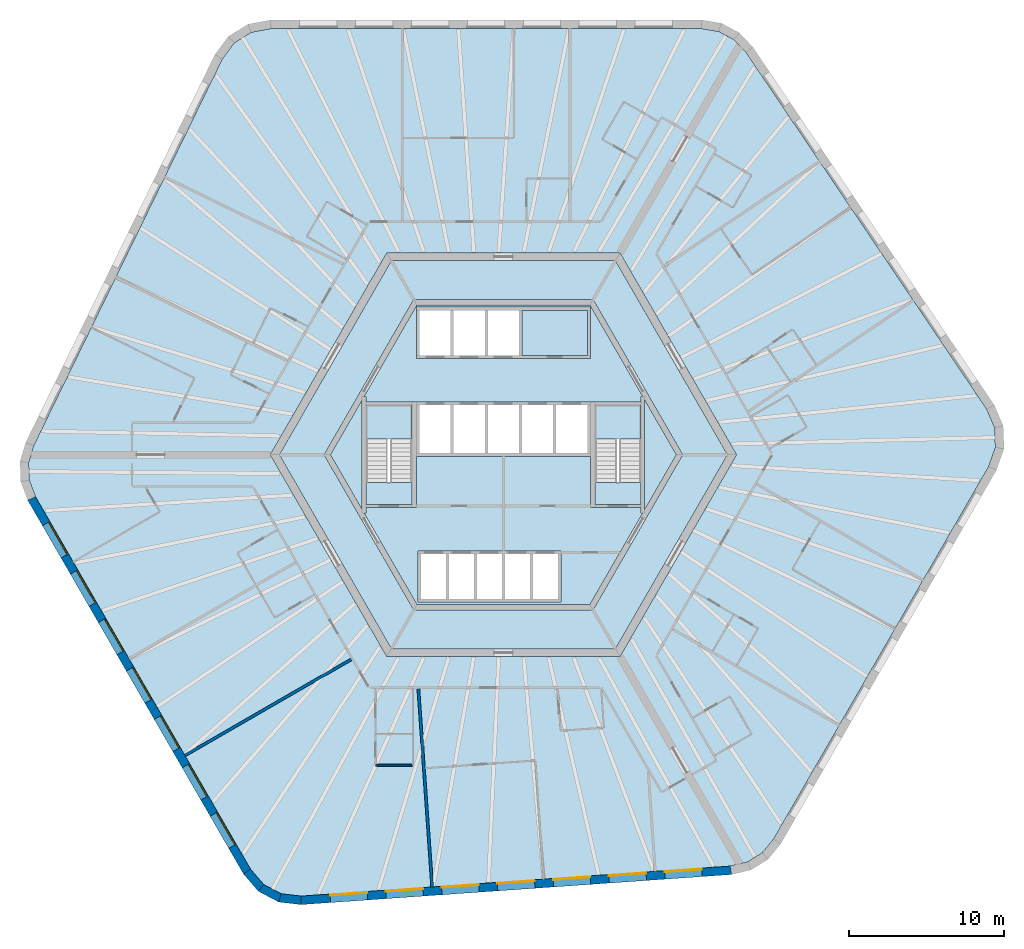
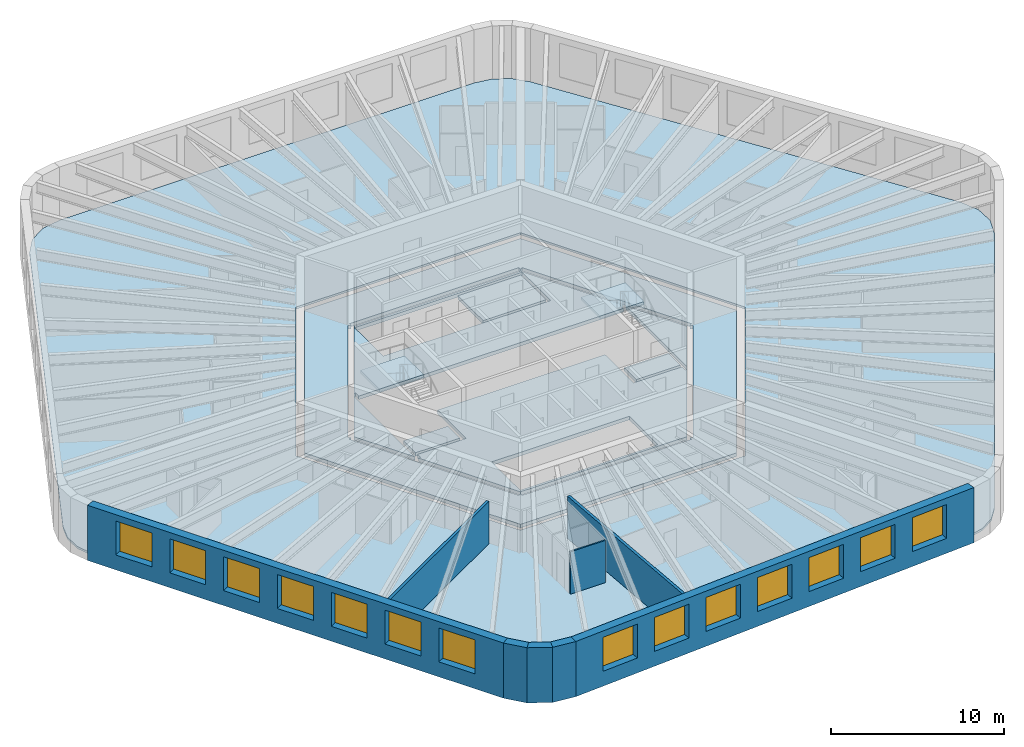
# One storey, part 2 of 10: 14 windows, 11 slabs, 8 walls, 14 openings, 2 elements without a shape of their own.
"""IFC4 building model written with IfcOpenShell, lengths in metres."""

from ifc_helpers import new_model, si_unit, direction, frame, frame_2d, origin, place, context, subcontext, project, spatial, polyline, rectangle, outline, extrude, material, layer, layer_set, type_object, element, fill, aggregate, save


model = new_model("IFC4")

# Units and contexts
model_context = context("Model", 3, precision=1e-05, world=origin(), true_north=direction((0.0, 1.0)))
body_context = subcontext(model_context, "Body", "Model", "MODEL_VIEW")
ifc_project = project(units=[si_unit("LENGTHUNIT", "METRE"), si_unit("AREAUNIT", "SQUARE_METRE"), si_unit("VOLUMEUNIT", "CUBIC_METRE"), si_unit("PLANEANGLEUNIT", "RADIAN"), si_unit("MASSUNIT", "GRAM", prefix="KILO")], contexts=[model_context])

# Site, building, storey
site_placement = place(None, origin())
site = spatial("IfcSite", under=ifc_project, at=site_placement, CompositionType="ELEMENT")
building_placement = place(site_placement, origin())
building = spatial("IfcBuilding", under=site, at=building_placement, Name="Tarnside Tower", CompositionType="ELEMENT")
storey_placement = place(building_placement, frame((0.0, 0.0, 191.699951171875)))
storey = spatial("IfcBuildingStorey", under=building, at=storey_placement, Name="L45", CompositionType="ELEMENT", Elevation=191.699951171875)

# Slabs
ifc_material_1 = material(Name="Concrete C35/45", Category="concrete")
ifc_layer_1 = layer(ifc_material_1, 0.14990234375)
ifc_layer_set_1 = layer_set([ifc_layer_1], Name="Composite floor slab 150")
slab_type_1 = type_object("IfcSlabType", Name="Composite floor slab 150", PredefinedType="FLOOR", material=ifc_layer_set_1)
slab_1_placement = place(storey_placement, frame((0.0, 0.0, -0.14990234375)))
element("IfcSlab", 1, at=slab_1_placement, inside=storey, type_object=slab_type_1, Name="Floor slab L45", PredefinedType="FLOOR", context=body_context, shape_type="SweptSolid", body=[
    extrude(outline(polyline([(13.864013671875, 27.264892578125), (14.85107421875, 26.740234375), (15.6337890625, 25.91064453125), (31.12890625, 2.938232421875), (31.644287109375, 1.7431640625), (31.68896484375, 0.468505859375), (31.258056640625, -0.759521484375), (17.403076171875, -24.7568359375), (16.68017578125, -25.63916015625), (15.732177734375, -26.2314453125), (14.622314453125, -26.494384765625), (-13.02001953125, -28.427490234375), (-14.3125, -28.2763671875), (-15.438720703125, -27.677490234375), (-16.286865234375, -26.6904296875), (-30.1416015625, -2.693115234375), (-30.544189453125, -1.6259765625), (-30.583251953125, -0.5087890625), (-30.256103515625, 0.583984375), (-18.10888671875, 25.4892578125), (-17.331787109375, 26.533203125), (-16.250244140625, 27.208984375), (-14.97119140625, 27.449951171875), (12.738525390625, 27.449951171875), (13.864013671875, 27.264892578125)]), holes=[polyline([(-15.010986328125, 0.0), (-7.505615234375, -13.0), (7.505615234375, -13.0), (15.010986328125, 0.0), (7.505615234375, 13.0), (-7.505615234375, 13.0), (-15.010986328125, 0.0)])]), origin(), (0.0, 0.0, 1.0), 0.14990234375),
])
ifc_material_2 = material(Name="Concrete C40/50", Category="concrete")
ifc_layer_2 = layer(ifc_material_2, 0.25)
ifc_layer_set_2 = layer_set([ifc_layer_2], Name="Core slab C40/50")
slab_type_2 = type_object("IfcSlabType", Name="Core slab C40/50", PredefinedType="FLOOR", material=ifc_layer_set_2)
slab_2_placement = place(storey_placement, frame((0.0, 0.0, -0.25)))
element("IfcSlab", 2, at=slab_2_placement, inside=storey, type_object=slab_type_2, Name="L45 core floor slab 1", PredefinedType="FLOOR", context=body_context, shape_type="SweptSolid", body=[
    extrude(outline(polyline([(-7.216796875, 12.5), (7.216796875, 12.5), (14.433837890625, 0.0), (7.216796875, -12.5), (-7.216796875, -12.5), (-14.433837890625, 0.0), (-7.216796875, 12.5)]), holes=[polyline([(5.823974609375, -9.91259765625), (11.49658203125, -0.08740234375), (11.344970703125, 0.0), (11.49658203125, 0.08740234375), (5.823974609375, 9.91259765625), (5.672607421875, 9.824951171875), (5.672607421875, 10.0), (-5.672607421875, 10.0), (-5.672607421875, 9.824951171875), (-5.823974609375, 9.91259765625), (-11.49658203125, 0.08740234375), (-11.344970703125, 0.0), (-11.49658203125, -0.08740234375), (-5.823974609375, -9.91259765625), (-5.672607421875, -9.824951171875), (-5.672607421875, -10.0), (5.672607421875, -10.0), (5.672607421875, -9.824951171875), (5.823974609375, -9.91259765625)])]), origin(), (0.0, 0.0, 1.0), 0.25),
])
slab_3_placement = place(storey_placement, frame((0.0, 0.0, -0.25)))
element("IfcSlab", 3, at=slab_3_placement, inside=storey, type_object=slab_type_2, Name="L45 core floor slab 2", PredefinedType="FLOOR", context=body_context, shape_type="SweptSolid", body=[
    extrude(outline(polyline([(-8.97509765625, 3.7548828125), (-5.5712890625, 9.64990234375), (5.5712890625, 9.64990234375), (8.97509765625, 3.7548828125), (8.85009765625, 3.7548828125), (8.85009765625, 3.39990234375), (5.89990234375, 3.39990234375), (5.60009765625, 3.39990234375), (5.60009765625, 3.39990234375), (-5.60009765625, 3.39990234375), (-5.89990234375, 3.39990234375), (-8.85009765625, 3.39990234375), (-8.85009765625, 3.7548828125), (-8.97509765625, 3.7548828125)]), holes=[polyline([(-5.60009765625, 6.199951171875), (5.60009765625, 6.199951171875), (5.60009765625, 6.39990234375), (5.60009765625, 9.300048828125), (5.60009765625, 9.5), (-5.60009765625, 9.5), (-5.60009765625, 9.300048828125), (-5.60009765625, 6.39990234375), (-5.60009765625, 6.199951171875)])]), origin(), (0.0, 0.0, 1.0), 0.25),
])
slab_4_placement = place(storey_placement, frame((0.0, 0.0, -0.25)))
element("IfcSlab", 4, at=slab_4_placement, inside=storey, type_object=slab_type_2, Name="L45 core floor slab 3", PredefinedType="FLOOR", context=body_context, shape_type="SweptSolid", body=[
    extrude(outline(polyline([(5.60009765625, -3.39990234375), (5.89990234375, -3.39990234375), (8.85009765625, -3.39990234375), (8.85009765625, -3.7548828125), (8.97509765625, -3.7548828125), (5.5712890625, -9.64990234375), (-5.5712890625, -9.64990234375), (-8.97509765625, -3.7548828125), (-8.85009765625, -3.7548828125), (-8.85009765625, -3.39990234375), (-5.89990234375, -3.39990234375), (-5.60009765625, -3.39990234375), (-5.60009765625, -0.10009765625), (5.60009765625, -0.10009765625), (5.60009765625, -3.39990234375)]), holes=[polyline([(-5.5, -9.300048828125), (-5.5, -9.5), (3.699951171875, -9.5), (3.699951171875, -9.300048828125), (3.699951171875, -6.39990234375), (3.699951171875, -6.199951171875), (-5.5, -6.199951171875), (-5.5, -6.39990234375), (-5.5, -9.300048828125)])]), origin(), (0.0, 0.0, 1.0), 0.25),
])
slab_5_placement = place(storey_placement, frame((0.0, 0.0, -0.25)))
element("IfcSlab", 5, at=slab_5_placement, inside=storey, type_object=slab_type_2, Name="L45 core floor slab 4", PredefinedType="FLOOR", context=body_context, shape_type="SweptSolid", body=[
    extrude(outline(polyline([(-11.142822265625, 0.0), (-9.10009765625, 3.538330078125), (-9.10009765625, -3.538330078125), (-11.142822265625, 0.0)])), origin(), (0.0, 0.0, 1.0), 0.25),
])
slab_6_placement = place(storey_placement, frame((0.0, 0.0, -0.25)))
element("IfcSlab", 6, at=slab_6_placement, inside=storey, type_object=slab_type_2, Name="L45 core floor slab 5", PredefinedType="FLOOR", context=body_context, shape_type="SweptSolid", body=[
    extrude(outline(polyline([(-8.85009765625, -1.800048828125), (-5.89990234375, -1.800048828125), (-5.89990234375, -3.199951171875), (-8.85009765625, -3.199951171875), (-8.85009765625, -1.800048828125)])), origin(), (0.0, 0.0, 1.0), 0.25),
])
slab_7_placement = place(storey_placement, frame((0.0, 0.0, -0.25)))
element("IfcSlab", 7, at=slab_7_placement, inside=storey, type_object=slab_type_2, Name="L45 core floor slab 6", PredefinedType="FLOOR", context=body_context, shape_type="SweptSolid", body=[
    extrude(outline(polyline([(5.89990234375, -3.199951171875), (5.89990234375, -1.800048828125), (8.85009765625, -1.800048828125), (8.85009765625, -3.199951171875), (5.89990234375, -3.199951171875)])), origin(), (0.0, 0.0, 1.0), 0.25),
])
slab_8_placement = place(storey_placement, frame((0.0, 0.0, -0.25)))
element("IfcSlab", 8, at=slab_8_placement, inside=storey, type_object=slab_type_2, Name="L45 core floor slab 7", PredefinedType="FLOOR", context=body_context, shape_type="SweptSolid", body=[
    extrude(outline(polyline([(9.10009765625, -3.538330078125), (9.10009765625, 3.538330078125), (11.142822265625, 0.0), (9.10009765625, -3.538330078125)])), origin(), (0.0, 0.0, 1.0), 0.25),
])
slab_9_placement = place(storey_placement, frame((0.0, 0.0, -0.25)))
element("IfcSlab", 9, at=slab_9_placement, inside=storey, type_object=slab_type_2, Name="L45 core floor slab 8", PredefinedType="FLOOR", context=body_context, shape_type="SweptSolid", body=[
    extrude(outline(polyline([(5.39990234375, 9.300048828125), (5.39990234375, 6.39990234375), (1.199951171875, 6.39990234375), (1.199951171875, 9.300048828125), (5.39990234375, 9.300048828125)])), origin(), (0.0, 0.0, 1.0), 0.25),
])

# Stair, slab
stair_type = type_object("IfcStairType", Name="Exit stair 1400 clear", PredefinedType="HALF_TURN_STAIR", material=ifc_material_2)
stair_1_placement = place(storey_placement, origin())
stair_1 = element("IfcStair", 10, at=stair_1_placement, inside=storey, type_object=stair_type, Name="L45 Exit stair 1", PredefinedType="HALF_TURN_STAIR")
ifc_layer_3 = layer(ifc_material_2, 0.199951171875)
ifc_layer_set_3 = layer_set([ifc_layer_3], Name="Stair landing 200 C40/50")
slab_type_3 = type_object("IfcSlabType", Name="Stair landing 200 C40/50", PredefinedType="LANDING", material=ifc_layer_set_3)
slab_10_placement = place(storey_placement, frame((0.0, 0.0, 1.75)))
slab_10 = element("IfcSlab", 11, at=slab_10_placement, type_object=slab_type_3, Name="ST1 landing 1", PredefinedType="LANDING", context=body_context, shape_type="SweptSolid", body=[
    extrude(outline(polyline([(8.85009765625, 1.0), (8.85009765625, 3.199951171875), (5.89990234375, 3.199951171875), (5.89990234375, 1.0), (8.85009765625, 1.0)])), origin(), (0.0, 0.0, 1.0), 0.199951171875),
])
aggregate(stair_1, [slab_10])

stair_2_placement = place(storey_placement, origin())
stair_2 = element("IfcStair", 12, at=stair_2_placement, inside=storey, type_object=stair_type, Name="L45 Exit stair 2", PredefinedType="HALF_TURN_STAIR")
slab_11_placement = place(storey_placement, frame((0.0, 0.0, 1.75)))
slab_11 = element("IfcSlab", 13, at=slab_11_placement, type_object=slab_type_3, Name="ST2 landing 1", PredefinedType="LANDING", context=body_context, shape_type="SweptSolid", body=[
    extrude(outline(polyline([(-5.89990234375, 1.0), (-5.89990234375, 3.199951171875), (-8.85009765625, 3.199951171875), (-8.85009765625, 1.0), (-5.89990234375, 1.0)])), origin(), (0.0, 0.0, 1.0), 0.199951171875),
])
aggregate(stair_2, [slab_11])

# Walls
ifc_material_3 = material(Name="Gypsum board partition on steel studs", Category="steel")
ifc_layer_4 = layer(ifc_material_3, 0.179931640625)
ifc_layer_set_4 = layer_set([ifc_layer_4], Name="Demising wall 180 EI 60")
wall_type_1 = type_object("IfcWallType", Name="Demising wall 180 EI 60", PredefinedType="PARTITIONING", material=ifc_layer_set_4)
wall_1_placement = place(storey_placement, frame((-20.513427734375, -19.36962890625, 0.0), z_axis=(0.0, 0.0, 1.0), x_axis=(0.866024931941, 0.500000817256, 0.0)))
element("IfcWall", 14, at=wall_1_placement, inside=storey, type_object=wall_type_1, Name="Demising wall 14085", PredefinedType="PARTITIONING", context=body_context, shape_type="SweptSolid", body=[
    extrude(rectangle(XDim=12.375, YDim=0.179931640625, at=frame_2d((6.1875, 0.0))), origin(), (0.0, 0.0, 1.0), 2.98779296875),
])
wall_2_placement = place(storey_placement, frame((-4.587158203125, -27.837890625, 0.0), z_axis=(0.0, 0.0, 1.0), x_axis=(-0.069764754112, 0.997563471206, 0.0)))
element("IfcWall", 15, at=wall_2_placement, inside=storey, type_object=wall_type_1, Name="Demising wall 14091", PredefinedType="PARTITIONING", context=body_context, shape_type="SweptSolid", body=[
    extrude(rectangle(XDim=12.794189453125, YDim=0.179931640625, at=frame_2d((6.39697265625, 0.0))), origin(), (0.0, 0.0, 1.0), 2.98779296875),
])
ifc_layer_5 = layer(ifc_material_3, 0.10009765625)
ifc_layer_set_5 = layer_set([ifc_layer_5], Name="Partition 100")
wall_type_2 = type_object("IfcWallType", Name="Partition 100", PredefinedType="PARTITIONING", material=ifc_layer_set_5)
wall_3_placement = place(storey_placement, frame((-5.885009765625, -20.0, 0.0), z_axis=(0.0, 0.0, 1.0), x_axis=(-1.0, 0.0, 0.0)))
element("IfcWall", 16, at=wall_3_placement, inside=storey, type_object=wall_type_2, Name="Partition wall 14089", PredefinedType="PARTITIONING", context=body_context, shape_type="SweptSolid", body=[
    extrude(rectangle(XDim=2.349853515625, YDim=0.10009765625, at=frame_2d((1.1748046875, 0.0))), origin(), (0.0, 0.0, 1.0), 2.98779296875),
])

# Wall, openings, windows
ifc_material_4 = material(Name="Facing brick", Category="masonry")
ifc_layer_6 = layer(ifc_material_4, 0.10205078125)
ifc_material_5 = material(Name="Concrete C60/75 precast", Category="concrete")
ifc_layer_7 = layer(ifc_material_5, 0.347900390625)
ifc_material_6 = material(Name="Mineral wool insulation")
ifc_layer_8 = layer(ifc_material_6, 0.10009765625)
ifc_layer_set_6 = layer_set([ifc_layer_6, ifc_layer_7, ifc_layer_8], Name="Tube wall 550 brick faced")
wall_type_3 = type_object("IfcWallType", Name="Tube wall 550 brick faced", PredefinedType="SOLIDWALL", material=ifc_layer_set_6)
wall_4_placement = place(storey_placement, frame((-30.39111328125, -2.81103515625, -0.14990234375), z_axis=(0.0, 0.0, 1.0), x_axis=(0.499998569178, -0.866026229868, 0.0)))
wall_4 = element("IfcWall", 17, at=wall_4_placement, inside=storey, type_object=wall_type_3, Name="Tube wall L45 F3 flush 08", PredefinedType="SOLIDWALL", context=body_context, shape_type="SweptSolid", body=[
    extrude(outline(polyline([(-0.0224609375, -0.27490234375), (27.783447265625, -0.27490234375), (27.732177734375, 0.27490234375), (0.0224609375, 0.27490234375), (-0.0224609375, -0.27490234375)])), origin(), (0.0, 0.0, 1.0), 3.89990234375),
])
opening_1_placement = place(wall_4_placement, frame((1.87890625, 0.0, 1.050048828125)))
opening_1 = element("IfcOpeningElement", 18, at=opening_1_placement, cuts=wall_4, Name="Opening WH", PredefinedType="OPENING", context=body_context, shape_type="SweptSolid", body=[
    extrude(rectangle(XDim=2.39990234375, YDim=2.39990234375, at=frame_2d((1.199951171875, 1.199951171875))), frame((0.0, 0.28515625, 0.0), z_axis=(0.0, -1.0, 0.0), x_axis=(1.0, 0.0, 0.0)), (0.0, 0.0, 1.0), 0.570068359375),
])
opening_2_placement = place(wall_4_placement, frame((5.47900390625, 0.0, 1.050048828125)))
opening_2 = element("IfcOpeningElement", 19, at=opening_2_placement, cuts=wall_4, Name="Opening WH", PredefinedType="OPENING", context=body_context, shape_type="SweptSolid", body=[
    extrude(rectangle(XDim=2.39990234375, YDim=2.39990234375, at=frame_2d((1.199951171875, 1.199951171875))), frame((0.0, 0.28515625, 0.0), z_axis=(0.0, -1.0, 0.0), x_axis=(1.0, 0.0, 0.0)), (0.0, 0.0, 1.0), 0.570068359375),
])
opening_3_placement = place(wall_4_placement, frame((9.078857421875, 0.0, 1.050048828125)))
opening_3 = element("IfcOpeningElement", 20, at=opening_3_placement, cuts=wall_4, Name="Opening WH", PredefinedType="OPENING", context=body_context, shape_type="SweptSolid", body=[
    extrude(rectangle(XDim=2.39990234375, YDim=2.39990234375, at=frame_2d((1.199951171875, 1.199951171875))), frame((0.0, 0.28515625, 0.0), z_axis=(0.0, -1.0, 0.0), x_axis=(1.0, 0.0, 0.0)), (0.0, 0.0, 1.0), 0.570068359375),
])
opening_4_placement = place(wall_4_placement, frame((12.678955078125, 0.0, 1.050048828125)))
opening_4 = element("IfcOpeningElement", 21, at=opening_4_placement, cuts=wall_4, Name="Opening WH", PredefinedType="OPENING", context=body_context, shape_type="SweptSolid", body=[
    extrude(rectangle(XDim=2.39990234375, YDim=2.39990234375, at=frame_2d((1.199951171875, 1.199951171875))), frame((0.0, 0.28515625, 0.0), z_axis=(0.0, -1.0, 0.0), x_axis=(1.0, 0.0, 0.0)), (0.0, 0.0, 1.0), 0.570068359375),
])
opening_5_placement = place(wall_4_placement, frame((16.27880859375, 0.0, 1.050048828125)))
opening_5 = element("IfcOpeningElement", 22, at=opening_5_placement, cuts=wall_4, Name="Opening WH", PredefinedType="OPENING", context=body_context, shape_type="SweptSolid", body=[
    extrude(rectangle(XDim=2.39990234375, YDim=2.39990234375, at=frame_2d((1.199951171875, 1.199951171875))), frame((0.0, 0.28515625, 0.0), z_axis=(0.0, -1.0, 0.0), x_axis=(1.0, 0.0, 0.0)), (0.0, 0.0, 1.0), 0.570068359375),
])
opening_6_placement = place(wall_4_placement, frame((19.87890625, 0.0, 1.050048828125)))
opening_6 = element("IfcOpeningElement", 23, at=opening_6_placement, cuts=wall_4, Name="Opening WH", PredefinedType="OPENING", context=body_context, shape_type="SweptSolid", body=[
    extrude(rectangle(XDim=2.39990234375, YDim=2.39990234375, at=frame_2d((1.199951171875, 1.199951171875))), frame((0.0, 0.28515625, 0.0), z_axis=(0.0, -1.0, 0.0), x_axis=(1.0, 0.0, 0.0)), (0.0, 0.0, 1.0), 0.570068359375),
])
opening_7_placement = place(wall_4_placement, frame((23.47900390625, 0.0, 1.050048828125)))
opening_7 = element("IfcOpeningElement", 24, at=opening_7_placement, cuts=wall_4, Name="Opening WH", PredefinedType="OPENING", context=body_context, shape_type="SweptSolid", body=[
    extrude(rectangle(XDim=2.39990234375, YDim=2.39990234375, at=frame_2d((1.199951171875, 1.199951171875))), frame((0.0, 0.28515625, 0.0), z_axis=(0.0, -1.0, 0.0), x_axis=(1.0, 0.0, 0.0)), (0.0, 0.0, 1.0), 0.570068359375),
])
ifc_material_7 = material(Name="Aluminium-framed double glazing", Category="aluminium")
window_type = type_object("IfcWindowType", Name="Hotel window 2400 x 2400", PartitioningType="DOUBLE_PANEL_VERTICAL", PredefinedType="WINDOW", material=ifc_material_7)
window_1_placement = place(opening_1_placement, frame((0.0, 0.205078125, 0.0)))
window_1 = element("IfcWindow", 25, at=window_1_placement, inside=storey, type_object=window_type, Name="E.WN.L45.F3.00", OverallHeight=2.39990234375, OverallWidth=2.39990234375, PartitioningType="DOUBLE_PANEL_VERTICAL", PredefinedType="WINDOW", context=body_context, shape_type="SweptSolid", body=[
    extrude(rectangle(XDim=2.39990234375, YDim=2.39990234375, at=frame_2d((1.199951171875, 1.199951171875))), frame((0.0, 0.030029296875, 0.0), z_axis=(0.0, -1.0, 0.0), x_axis=(1.0, 0.0, 0.0)), (0.0, 0.0, 1.0), 0.06005859375),
])
fill(opening_1, window_1)
window_2_placement = place(opening_2_placement, frame((0.0, 0.205078125, 0.0)))
window_2 = element("IfcWindow", 26, at=window_2_placement, inside=storey, type_object=window_type, Name="E.WN.L45.F3.01", OverallHeight=2.39990234375, OverallWidth=2.39990234375, PartitioningType="DOUBLE_PANEL_VERTICAL", PredefinedType="WINDOW", context=body_context, shape_type="SweptSolid", body=[
    extrude(rectangle(XDim=2.39990234375, YDim=2.39990234375, at=frame_2d((1.199951171875, 1.199951171875))), frame((0.0, 0.030029296875, 0.0), z_axis=(0.0, -1.0, 0.0), x_axis=(1.0, 0.0, 0.0)), (0.0, 0.0, 1.0), 0.06005859375),
])
fill(opening_2, window_2)
window_3_placement = place(opening_3_placement, frame((0.0, 0.205078125, 0.0)))
window_3 = element("IfcWindow", 27, at=window_3_placement, inside=storey, type_object=window_type, Name="E.WN.L45.F3.02", OverallHeight=2.39990234375, OverallWidth=2.39990234375, PartitioningType="DOUBLE_PANEL_VERTICAL", PredefinedType="WINDOW", context=body_context, shape_type="SweptSolid", body=[
    extrude(rectangle(XDim=2.39990234375, YDim=2.39990234375, at=frame_2d((1.199951171875, 1.199951171875))), frame((0.0, 0.030029296875, 0.0), z_axis=(0.0, -1.0, 0.0), x_axis=(1.0, 0.0, 0.0)), (0.0, 0.0, 1.0), 0.06005859375),
])
fill(opening_3, window_3)
window_4_placement = place(opening_4_placement, frame((0.0, 0.205078125, 0.0)))
window_4 = element("IfcWindow", 28, at=window_4_placement, inside=storey, type_object=window_type, Name="E.WN.L45.F3.03", OverallHeight=2.39990234375, OverallWidth=2.39990234375, PartitioningType="DOUBLE_PANEL_VERTICAL", PredefinedType="WINDOW", context=body_context, shape_type="SweptSolid", body=[
    extrude(rectangle(XDim=2.39990234375, YDim=2.39990234375, at=frame_2d((1.199951171875, 1.199951171875))), frame((0.0, 0.030029296875, 0.0), z_axis=(0.0, -1.0, 0.0), x_axis=(1.0, 0.0, 0.0)), (0.0, 0.0, 1.0), 0.06005859375),
])
fill(opening_4, window_4)
window_5_placement = place(opening_5_placement, frame((0.0, 0.205078125, 0.0)))
window_5 = element("IfcWindow", 29, at=window_5_placement, inside=storey, type_object=window_type, Name="E.WN.L45.F3.04", OverallHeight=2.39990234375, OverallWidth=2.39990234375, PartitioningType="DOUBLE_PANEL_VERTICAL", PredefinedType="WINDOW", context=body_context, shape_type="SweptSolid", body=[
    extrude(rectangle(XDim=2.39990234375, YDim=2.39990234375, at=frame_2d((1.199951171875, 1.199951171875))), frame((0.0, 0.030029296875, 0.0), z_axis=(0.0, -1.0, 0.0), x_axis=(1.0, 0.0, 0.0)), (0.0, 0.0, 1.0), 0.06005859375),
])
fill(opening_5, window_5)
window_6_placement = place(opening_6_placement, frame((0.0, 0.205078125, 0.0)))
window_6 = element("IfcWindow", 30, at=window_6_placement, inside=storey, type_object=window_type, Name="E.WN.L45.F3.05", OverallHeight=2.39990234375, OverallWidth=2.39990234375, PartitioningType="DOUBLE_PANEL_VERTICAL", PredefinedType="WINDOW", context=body_context, shape_type="SweptSolid", body=[
    extrude(rectangle(XDim=2.39990234375, YDim=2.39990234375, at=frame_2d((1.199951171875, 1.199951171875))), frame((0.0, 0.030029296875, 0.0), z_axis=(0.0, -1.0, 0.0), x_axis=(1.0, 0.0, 0.0)), (0.0, 0.0, 1.0), 0.06005859375),
])
fill(opening_6, window_6)
window_7_placement = place(opening_7_placement, frame((0.0, 0.205078125, 0.0)))
window_7 = element("IfcWindow", 31, at=window_7_placement, inside=storey, type_object=window_type, Name="E.WN.L45.F3.06", OverallHeight=2.39990234375, OverallWidth=2.39990234375, PartitioningType="DOUBLE_PANEL_VERTICAL", PredefinedType="WINDOW", context=body_context, shape_type="SweptSolid", body=[
    extrude(rectangle(XDim=2.39990234375, YDim=2.39990234375, at=frame_2d((1.199951171875, 1.199951171875))), frame((0.0, 0.030029296875, 0.0), z_axis=(0.0, -1.0, 0.0), x_axis=(1.0, 0.0, 0.0)), (0.0, 0.0, 1.0), 0.06005859375),
])
fill(opening_7, window_7)

# Walls
wall_5_placement = place(storey_placement, frame((-16.51220703125, -26.85009765625, -0.14990234375), z_axis=(0.0, 0.0, 1.0), x_axis=(0.651621950847, -0.758543890078, 0.0)))
element("IfcWall", 32, at=wall_5_placement, inside=storey, type_object=wall_type_3, Name="Tube wall L45 F3 chord 09", PredefinedType="SOLIDWALL", context=body_context, shape_type="SweptSolid", body=[
    extrude(outline(polyline([(-0.025634765625, -0.27490234375), (1.430908203125, -0.27490234375), (1.327392578125, 0.27490234375), (0.025634765625, 0.27490234375), (-0.025634765625, -0.27490234375)])), origin(), (0.0, 0.0, 1.0), 3.89990234375),
])
wall_6_placement = place(storey_placement, frame((-15.613525390625, -27.896240234375, -0.14990234375), z_axis=(0.0, 0.0, 1.0), x_axis=(0.882994189209, -0.469383917304, 0.0)))
element("IfcWall", 33, at=wall_6_placement, inside=storey, type_object=wall_type_3, Name="Tube wall L45 F3 chord 10", PredefinedType="SOLIDWALL", context=body_context, shape_type="SweptSolid", body=[
    extrude(outline(polyline([(-0.0517578125, -0.27490234375), (1.4306640625, -0.27490234375), (1.3271484375, 0.27490234375), (0.0517578125, 0.27490234375), (-0.0517578125, -0.27490234375)])), origin(), (0.0, 0.0, 1.0), 3.89990234375),
])
wall_7_placement = place(storey_placement, frame((-14.39599609375, -28.54345703125, -0.14990234375), z_axis=(0.0, 0.0, 1.0), x_axis=(0.993232537394, -0.11614269956, 0.0)))
element("IfcWall", 34, at=wall_7_placement, inside=storey, type_object=wall_type_3, Name="Tube wall L45 F3 chord 11", PredefinedType="SOLIDWALL", context=body_context, shape_type="SweptSolid", body=[
    extrude(outline(polyline([(-0.0517578125, -0.27490234375), (1.404541015625, -0.27490234375), (1.353271484375, 0.27490234375), (0.0517578125, 0.27490234375), (-0.0517578125, -0.27490234375)])), origin(), (0.0, 0.0, 1.0), 3.89990234375),
])

# Wall, openings, windows
wall_8_placement = place(storey_placement, frame((-13.0263671875, -28.70361328125, -0.14990234375), z_axis=(0.0, 0.0, 1.0), x_axis=(0.99756406806, 0.069756219185, 0.0)))
wall_8 = element("IfcWall", 35, at=wall_8_placement, inside=storey, type_object=wall_type_3, Name="Tube wall L45 F4 flush 12", PredefinedType="SOLIDWALL", context=body_context, shape_type="SweptSolid", body=[
    extrude(outline(polyline([(-0.025634765625, -0.27490234375), (27.7802734375, -0.27490234375), (27.7353515625, 0.27490234375), (0.025634765625, 0.27490234375), (-0.025634765625, -0.27490234375)])), origin(), (0.0, 0.0, 1.0), 3.89990234375),
])
opening_8_placement = place(wall_8_placement, frame((1.87890625, 0.0, 1.050048828125)))
opening_8 = element("IfcOpeningElement", 36, at=opening_8_placement, cuts=wall_8, Name="Opening WH", PredefinedType="OPENING", context=body_context, shape_type="SweptSolid", body=[
    extrude(rectangle(XDim=2.39990234375, YDim=2.39990234375, at=frame_2d((1.199951171875, 1.199951171875))), frame((0.0, 0.28515625, 0.0), z_axis=(0.0, -1.0, 0.0), x_axis=(1.0, 0.0, 0.0)), (0.0, 0.0, 1.0), 0.570068359375),
])
opening_9_placement = place(wall_8_placement, frame((5.47900390625, 0.0, 1.050048828125)))
opening_9 = element("IfcOpeningElement", 37, at=opening_9_placement, cuts=wall_8, Name="Opening WH", PredefinedType="OPENING", context=body_context, shape_type="SweptSolid", body=[
    extrude(rectangle(XDim=2.39990234375, YDim=2.39990234375, at=frame_2d((1.199951171875, 1.199951171875))), frame((0.0, 0.28515625, 0.0), z_axis=(0.0, -1.0, 0.0), x_axis=(1.0, 0.0, 0.0)), (0.0, 0.0, 1.0), 0.570068359375),
])
opening_10_placement = place(wall_8_placement, frame((9.078857421875, 0.0, 1.050048828125)))
opening_10 = element("IfcOpeningElement", 38, at=opening_10_placement, cuts=wall_8, Name="Opening WH", PredefinedType="OPENING", context=body_context, shape_type="SweptSolid", body=[
    extrude(rectangle(XDim=2.39990234375, YDim=2.39990234375, at=frame_2d((1.199951171875, 1.199951171875))), frame((0.0, 0.28515625, 0.0), z_axis=(0.0, -1.0, 0.0), x_axis=(1.0, 0.0, 0.0)), (0.0, 0.0, 1.0), 0.570068359375),
])
opening_11_placement = place(wall_8_placement, frame((12.678955078125, 0.0, 1.050048828125)))
opening_11 = element("IfcOpeningElement", 39, at=opening_11_placement, cuts=wall_8, Name="Opening WH", PredefinedType="OPENING", context=body_context, shape_type="SweptSolid", body=[
    extrude(rectangle(XDim=2.39990234375, YDim=2.39990234375, at=frame_2d((1.199951171875, 1.199951171875))), frame((0.0, 0.28515625, 0.0), z_axis=(0.0, -1.0, 0.0), x_axis=(1.0, 0.0, 0.0)), (0.0, 0.0, 1.0), 0.570068359375),
])
opening_12_placement = place(wall_8_placement, frame((16.27880859375, 0.0, 1.050048828125)))
opening_12 = element("IfcOpeningElement", 40, at=opening_12_placement, cuts=wall_8, Name="Opening WH", PredefinedType="OPENING", context=body_context, shape_type="SweptSolid", body=[
    extrude(rectangle(XDim=2.39990234375, YDim=2.39990234375, at=frame_2d((1.199951171875, 1.199951171875))), frame((0.0, 0.28515625, 0.0), z_axis=(0.0, -1.0, 0.0), x_axis=(1.0, 0.0, 0.0)), (0.0, 0.0, 1.0), 0.570068359375),
])
opening_13_placement = place(wall_8_placement, frame((19.87890625, 0.0, 1.050048828125)))
opening_13 = element("IfcOpeningElement", 41, at=opening_13_placement, cuts=wall_8, Name="Opening WH", PredefinedType="OPENING", context=body_context, shape_type="SweptSolid", body=[
    extrude(rectangle(XDim=2.39990234375, YDim=2.39990234375, at=frame_2d((1.199951171875, 1.199951171875))), frame((0.0, 0.28515625, 0.0), z_axis=(0.0, -1.0, 0.0), x_axis=(1.0, 0.0, 0.0)), (0.0, 0.0, 1.0), 0.570068359375),
])
opening_14_placement = place(wall_8_placement, frame((23.47900390625, 0.0, 1.050048828125)))
opening_14 = element("IfcOpeningElement", 42, at=opening_14_placement, cuts=wall_8, Name="Opening WH", PredefinedType="OPENING", context=body_context, shape_type="SweptSolid", body=[
    extrude(rectangle(XDim=2.39990234375, YDim=2.39990234375, at=frame_2d((1.199951171875, 1.199951171875))), frame((0.0, 0.28515625, 0.0), z_axis=(0.0, -1.0, 0.0), x_axis=(1.0, 0.0, 0.0)), (0.0, 0.0, 1.0), 0.570068359375),
])
window_8_placement = place(opening_8_placement, frame((0.0, 0.205078125, 0.0)))
window_8 = element("IfcWindow", 43, at=window_8_placement, inside=storey, type_object=window_type, Name="E.WN.L45.F4.00", OverallHeight=2.39990234375, OverallWidth=2.39990234375, PartitioningType="DOUBLE_PANEL_VERTICAL", PredefinedType="WINDOW", context=body_context, shape_type="SweptSolid", body=[
    extrude(rectangle(XDim=2.39990234375, YDim=2.39990234375, at=frame_2d((1.199951171875, 1.199951171875))), frame((0.0, 0.030029296875, 0.0), z_axis=(0.0, -1.0, 0.0), x_axis=(1.0, 0.0, 0.0)), (0.0, 0.0, 1.0), 0.06005859375),
])
fill(opening_8, window_8)
window_9_placement = place(opening_9_placement, frame((0.0, 0.205078125, 0.0)))
window_9 = element("IfcWindow", 44, at=window_9_placement, inside=storey, type_object=window_type, Name="E.WN.L45.F4.01", OverallHeight=2.39990234375, OverallWidth=2.39990234375, PartitioningType="DOUBLE_PANEL_VERTICAL", PredefinedType="WINDOW", context=body_context, shape_type="SweptSolid", body=[
    extrude(rectangle(XDim=2.39990234375, YDim=2.39990234375, at=frame_2d((1.199951171875, 1.199951171875))), frame((0.0, 0.030029296875, 0.0), z_axis=(0.0, -1.0, 0.0), x_axis=(1.0, 0.0, 0.0)), (0.0, 0.0, 1.0), 0.06005859375),
])
fill(opening_9, window_9)
window_10_placement = place(opening_10_placement, frame((0.0, 0.205078125, 0.0)))
window_10 = element("IfcWindow", 45, at=window_10_placement, inside=storey, type_object=window_type, Name="E.WN.L45.F4.02", OverallHeight=2.39990234375, OverallWidth=2.39990234375, PartitioningType="DOUBLE_PANEL_VERTICAL", PredefinedType="WINDOW", context=body_context, shape_type="SweptSolid", body=[
    extrude(rectangle(XDim=2.39990234375, YDim=2.39990234375, at=frame_2d((1.199951171875, 1.199951171875))), frame((0.0, 0.030029296875, 0.0), z_axis=(0.0, -1.0, 0.0), x_axis=(1.0, 0.0, 0.0)), (0.0, 0.0, 1.0), 0.06005859375),
])
fill(opening_10, window_10)
window_11_placement = place(opening_11_placement, frame((0.0, 0.205078125, 0.0)))
window_11 = element("IfcWindow", 46, at=window_11_placement, inside=storey, type_object=window_type, Name="E.WN.L45.F4.03", OverallHeight=2.39990234375, OverallWidth=2.39990234375, PartitioningType="DOUBLE_PANEL_VERTICAL", PredefinedType="WINDOW", context=body_context, shape_type="SweptSolid", body=[
    extrude(rectangle(XDim=2.39990234375, YDim=2.39990234375, at=frame_2d((1.199951171875, 1.199951171875))), frame((0.0, 0.030029296875, 0.0), z_axis=(0.0, -1.0, 0.0), x_axis=(1.0, 0.0, 0.0)), (0.0, 0.0, 1.0), 0.06005859375),
])
fill(opening_11, window_11)
window_12_placement = place(opening_12_placement, frame((0.0, 0.205078125, 0.0)))
window_12 = element("IfcWindow", 47, at=window_12_placement, inside=storey, type_object=window_type, Name="E.WN.L45.F4.04", OverallHeight=2.39990234375, OverallWidth=2.39990234375, PartitioningType="DOUBLE_PANEL_VERTICAL", PredefinedType="WINDOW", context=body_context, shape_type="SweptSolid", body=[
    extrude(rectangle(XDim=2.39990234375, YDim=2.39990234375, at=frame_2d((1.199951171875, 1.199951171875))), frame((0.0, 0.030029296875, 0.0), z_axis=(0.0, -1.0, 0.0), x_axis=(1.0, 0.0, 0.0)), (0.0, 0.0, 1.0), 0.06005859375),
])
fill(opening_12, window_12)
window_13_placement = place(opening_13_placement, frame((0.0, 0.205078125, 0.0)))
window_13 = element("IfcWindow", 48, at=window_13_placement, inside=storey, type_object=window_type, Name="E.WN.L45.F4.05", OverallHeight=2.39990234375, OverallWidth=2.39990234375, PartitioningType="DOUBLE_PANEL_VERTICAL", PredefinedType="WINDOW", context=body_context, shape_type="SweptSolid", body=[
    extrude(rectangle(XDim=2.39990234375, YDim=2.39990234375, at=frame_2d((1.199951171875, 1.199951171875))), frame((0.0, 0.030029296875, 0.0), z_axis=(0.0, -1.0, 0.0), x_axis=(1.0, 0.0, 0.0)), (0.0, 0.0, 1.0), 0.06005859375),
])
fill(opening_13, window_13)
window_14_placement = place(opening_14_placement, frame((0.0, 0.205078125, 0.0)))
window_14 = element("IfcWindow", 49, at=window_14_placement, inside=storey, type_object=window_type, Name="E.WN.L45.F4.06", OverallHeight=2.39990234375, OverallWidth=2.39990234375, PartitioningType="DOUBLE_PANEL_VERTICAL", PredefinedType="WINDOW", context=body_context, shape_type="SweptSolid", body=[
    extrude(rectangle(XDim=2.39990234375, YDim=2.39990234375, at=frame_2d((1.199951171875, 1.199951171875))), frame((0.0, 0.030029296875, 0.0), z_axis=(0.0, -1.0, 0.0), x_axis=(1.0, 0.0, 0.0)), (0.0, 0.0, 1.0), 0.06005859375),
])
fill(opening_14, window_14)

save(model, "model.ifc")
